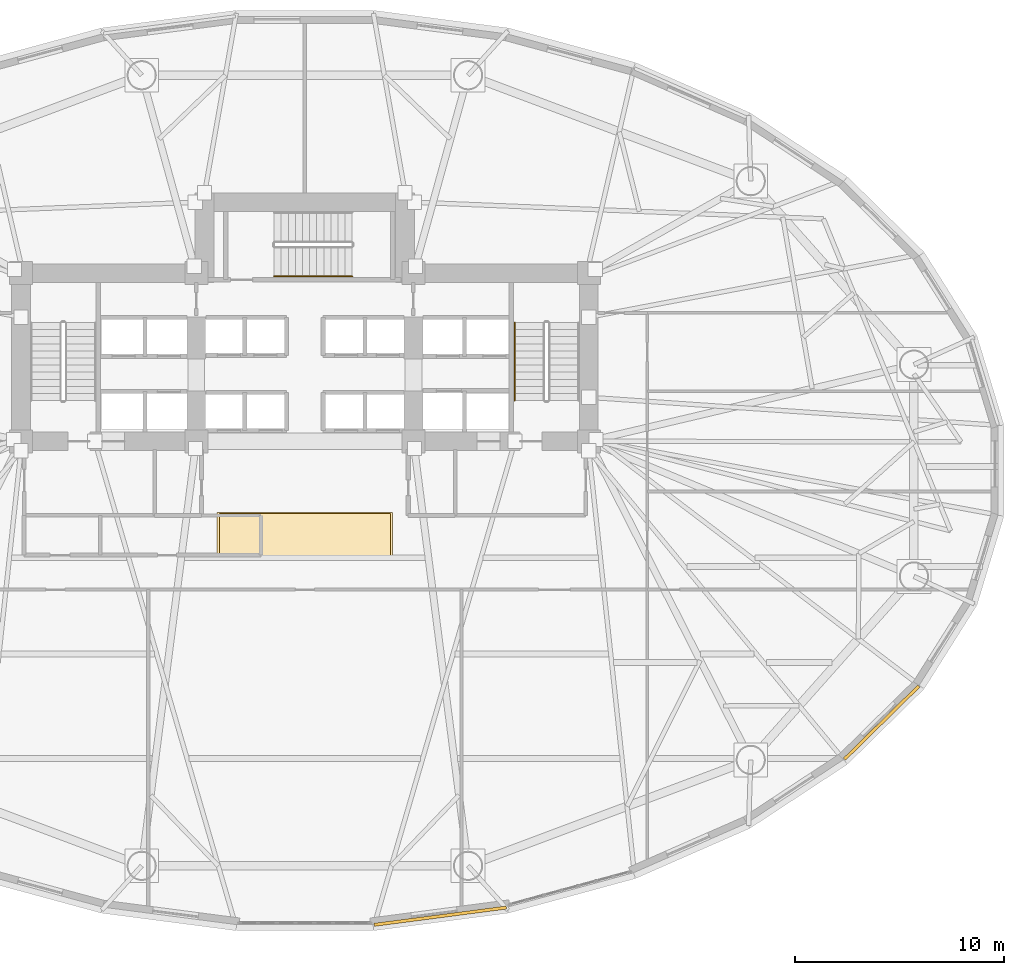
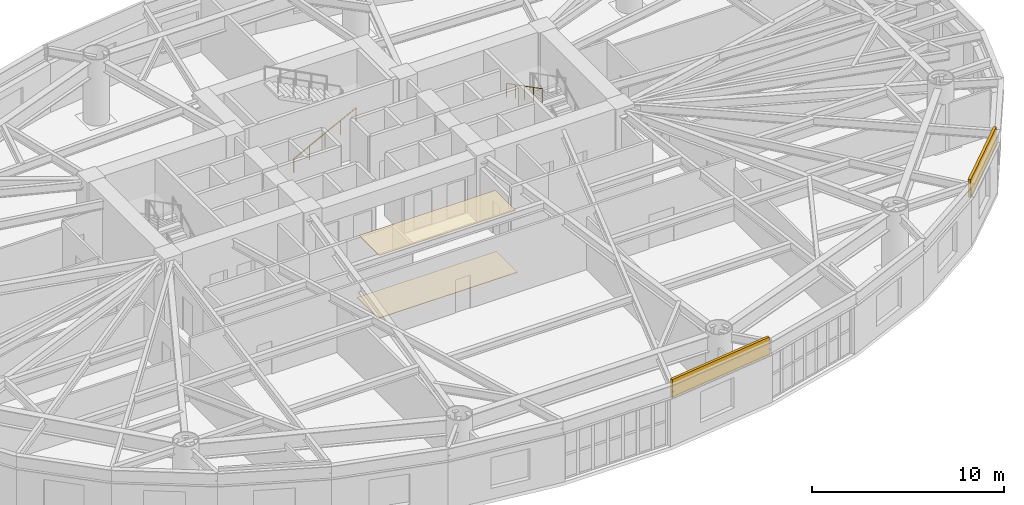
# One storey, part 15 of 18: 4 coverings, 2 railings.
"""IFC4 building model written with IfcOpenShell, lengths in metres."""

from ifc_helpers import new_model, si_unit, direction, frame, origin, origin_2d, place, context, subcontext, project, spatial, rectangle, circle, extrude, material, layer, layer_set, type_object, element, save


model = new_model("IFC4")

# Units and contexts
model_context = context("Model", 3, precision=1e-05, world=origin(), true_north=direction((0.0, 1.0)))
body_context = subcontext(model_context, "Body", "Model", "MODEL_VIEW")
ifc_project = project(units=[si_unit("LENGTHUNIT", "METRE"), si_unit("AREAUNIT", "SQUARE_METRE"), si_unit("VOLUMEUNIT", "CUBIC_METRE"), si_unit("PLANEANGLEUNIT", "RADIAN"), si_unit("MASSUNIT", "GRAM", prefix="KILO")], contexts=[model_context])

# Site, building, storey
site_placement = place(None, origin())
site = spatial("IfcSite", under=ifc_project, at=site_placement, CompositionType="ELEMENT")
building_placement = place(site_placement, origin())
building = spatial("IfcBuilding", under=site, at=building_placement, Name="Keldmark Tower", CompositionType="ELEMENT")
storey_placement = place(building_placement, frame((0.0, 0.0, 6.0)))
storey = spatial("IfcBuildingStorey", under=building, at=storey_placement, Name="L01", CompositionType="ELEMENT", Elevation=6.0)

# Coverings
ifc_material_1 = material(Name="Honed Kasota Buff Dolomitic Limestone", Category="masonry")
ifc_layer_1 = layer(ifc_material_1, 0.074951171875)
ifc_layer_set_1 = layer_set([ifc_layer_1], Name="Honed Kasota Buff Dolomitic Limestone")
covering_type_1 = type_object("IfcCoveringType", Name="Kasota Buff Limestone Spandrel Cladding Band", PredefinedType="CLADDING", material=ifc_layer_set_1)
covering_1_placement = place(storey_placement, frame((6.487060546875, -21.344482421875, 3.032958984375), z_axis=(0.0, 0.0, 1.0), x_axis=(0.991574223108, 0.129539801092, 0.0)))
element("IfcCovering", 1, at=covering_1_placement, inside=storey, type_object=covering_type_1, Name="L01 Kasota Limestone Spandrel Band 25", PredefinedType="CLADDING", context=body_context, shape_type="SweptSolid", body=[
    extrude(rectangle(XDim=6.37548828125, YDim=0.14990234375, at=origin_2d()), origin(), (0.0, 0.0, 1.0), 1.14697265625),
])
covering_2_placement = place(storey_placement, frame((27.62890625, -12.071044921875, 3.032958984375), z_axis=(0.0, 0.0, 1.0), x_axis=(0.713189280566, 0.700971504475, 0.0)))
element("IfcCovering", 2, at=covering_2_placement, inside=storey, type_object=covering_type_1, Name="L01 Kasota Limestone Spandrel Band 29", PredefinedType="CLADDING", context=body_context, shape_type="SweptSolid", body=[
    extrude(rectangle(XDim=4.995849609375, YDim=0.14990234375, at=origin_2d()), origin(), (0.0, 0.0, 1.0), 1.14697265625),
])

# Railings
ifc_material_2 = material(Name="Stainless Steel AISI 316L", Category="steel")
railing_type = type_object("IfcRailingType", Name="Stainless Steel Stair Handrail 900 mm", PredefinedType="HANDRAIL", material=ifc_material_2)
railing_1_placement = place(storey_placement, frame((10.050048828125, 7.090087890625, 2.27490234375)))
element("IfcRailing", 3, at=railing_1_placement, inside=storey, type_object=railing_type, Name="L01 ST2 stair handrail 2", PredefinedType="HANDRAIL", context=body_context, shape_type="SweptSolid", body=[
    extrude(circle(Radius=0.02392578125, at=origin_2d()), frame((0.0, 0.0, 0.8759765625), z_axis=(0.0, -0.889130600629, 0.457653553493), x_axis=(1.0, 0.0, 0.0)), (0.0, 0.0, 1.0), 4.206298828125),
    extrude(circle(Radius=0.02099609375, at=origin_2d()), origin(), (0.0, 0.0, 1.0), 0.851806640625),
    extrude(circle(Radius=0.02099609375, at=origin_2d()), frame((0.0, -0.93505859375, 0.481201171875)), (0.0, 0.0, 1.0), 0.851806640625),
    extrude(circle(Radius=0.02099609375, at=origin_2d()), frame((0.0, -1.8701171875, 0.96240234375)), (0.0, 0.0, 1.0), 0.851806640625),
    extrude(circle(Radius=0.02099609375, at=origin_2d()), frame((0.0, -2.804931640625, 1.44384765625)), (0.0, 0.0, 1.0), 0.851806640625),
    extrude(circle(Radius=0.02099609375, at=origin_2d()), frame((0.0, -3.739990234375, 1.925048828125)), (0.0, 0.0, 1.0), 0.851806640625),
])
railing_2_placement = place(storey_placement, frame((-1.47509765625, 9.300048828125, 0.175048828125)))
element("IfcRailing", 4, at=railing_2_placement, inside=storey, type_object=railing_type, Name="L01 ST3 stair handrail 1", PredefinedType="HANDRAIL", context=body_context, shape_type="SweptSolid", body=[
    extrude(circle(Radius=0.02392578125, at=origin_2d()), frame((0.0, 0.0, 0.8759765625), z_axis=(0.889130600629, 0.0, 0.457653553493), x_axis=(0.0, 1.0, 0.0)), (0.0, 0.0, 1.0), 4.206298828125),
    extrude(circle(Radius=0.02099609375, at=origin_2d()), origin(), (0.0, 0.0, 1.0), 0.851806640625),
    extrude(circle(Radius=0.02099609375, at=origin_2d()), frame((0.93505859375, 0.0, 0.481201171875)), (0.0, 0.0, 1.0), 0.851806640625),
    extrude(circle(Radius=0.02099609375, at=origin_2d()), frame((1.8701171875, 0.0, 0.96240234375)), (0.0, 0.0, 1.0), 0.851806640625),
    extrude(circle(Radius=0.02099609375, at=origin_2d()), frame((2.804931640625, 0.0, 1.44384765625)), (0.0, 0.0, 1.0), 0.851806640625),
    extrude(circle(Radius=0.02099609375, at=origin_2d()), frame((3.739990234375, 0.0, 1.925048828125)), (0.0, 0.0, 1.0), 0.851806640625),
])

# Coverings
ifc_material_3 = material(Name="Perforated Acoustic Gypsum and Recycled Mineral Wool", Category="gypsum")
ifc_layer_2 = layer(ifc_material_3, 0.044921875)
ifc_layer_set_2 = layer_set([ifc_layer_2], Name="Perforated Acoustic Gypsum and Recycled Mineral Wool")
covering_type_2 = type_object("IfcCoveringType", Name="Suspended Acoustic Mineral-Fiber Ceiling 45 mm", PredefinedType="CEILING", material=ifc_layer_set_2)
covering_3_placement = place(storey_placement, frame((0.0, -3.10009765625, 3.93505859375), z_axis=(0.0, 0.0, 1.0), x_axis=(1.0, 0.0, 0.0)))
element("IfcCovering", 5, at=covering_3_placement, inside=storey, type_object=covering_type_2, Name="L01 Lift Lobby Acoustic Ceiling", PredefinedType="CEILING", context=body_context, shape_type="SweptSolid", body=[
    extrude(rectangle(XDim=8.199951171875, YDim=2.10009765625, at=origin_2d()), origin(), (0.0, 0.0, 1.0), 0.044921875),
])
ifc_material_4 = material(Name="Honed Minnesota Dolomitic Limestone Epoxy Terrazzo", Category="masonry")
ifc_layer_3 = layer(ifc_material_4, 0.034912109375)
ifc_layer_set_3 = layer_set([ifc_layer_3], Name="Honed Minnesota Dolomitic Limestone Epoxy Terrazzo")
covering_type_3 = type_object("IfcCoveringType", Name="Terrazzo Public Lobby Flooring 35 mm", PredefinedType="FLOORING", material=ifc_layer_set_3)
covering_4_placement = place(storey_placement, frame((0.0, -3.10009765625, 0.0), z_axis=(0.0, 0.0, 1.0), x_axis=(1.0, 0.0, 0.0)))
element("IfcCovering", 6, at=covering_4_placement, inside=storey, type_object=covering_type_3, Name="L01 Lift Lobby Finish Flooring", PredefinedType="FLOORING", context=body_context, shape_type="SweptSolid", body=[
    extrude(rectangle(XDim=8.39990234375, YDim=2.199951171875, at=origin_2d()), origin(), (0.0, 0.0, 1.0), 0.030029296875),
])

save(model, "model.ifc")
